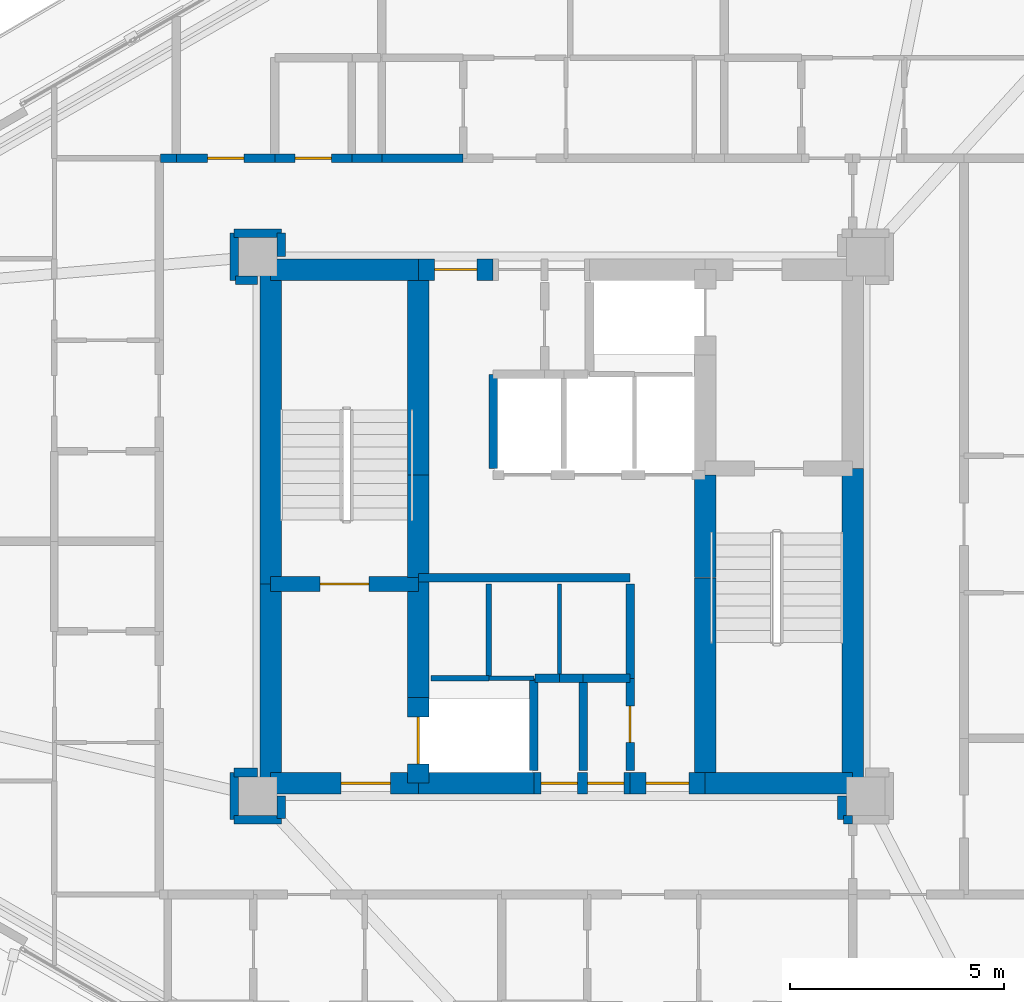
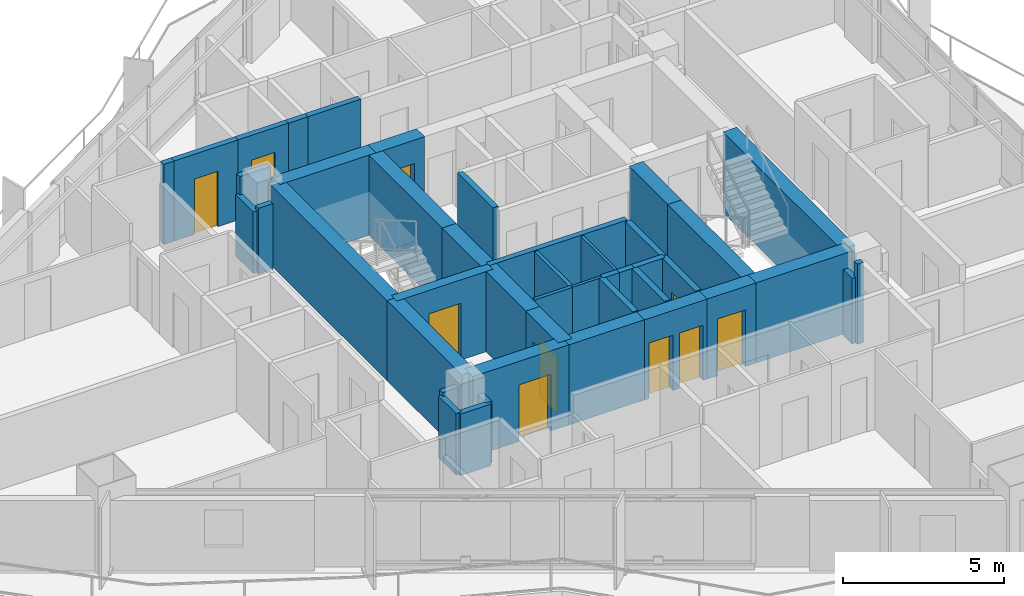
# One storey, part 13 of 18: 45 walls, 10 doors, 10 openings.
"""IFC4 building model written with IfcOpenShell, lengths in metres."""

from ifc_helpers import new_model, si_unit, direction, frame, frame_2d, origin, place, context, subcontext, project, spatial, rectangle, extrude, material, layer, layer_set, type_object, element, fill, save


model = new_model("IFC4")

# Units and contexts
model_context = context("Model", 3, precision=1e-05, world=origin(), true_north=direction((0.0, 1.0)))
body_context = subcontext(model_context, "Body", "Model", "MODEL_VIEW")
ifc_project = project(units=[si_unit("LENGTHUNIT", "METRE"), si_unit("AREAUNIT", "SQUARE_METRE"), si_unit("VOLUMEUNIT", "CUBIC_METRE"), si_unit("PLANEANGLEUNIT", "RADIAN"), si_unit("MASSUNIT", "GRAM", prefix="KILO")], contexts=[model_context])

# Site, building, storey
site_placement = place(None, origin())
site = spatial("IfcSite", under=ifc_project, at=site_placement, CompositionType="ELEMENT")
building_placement = place(site_placement, origin())
building = spatial("IfcBuilding", under=site, at=building_placement, Name="Mersakhor Tower and Convention Hall", CompositionType="ELEMENT")
storey_placement = place(building_placement, frame((0.0, 0.0, 52.199951171875)))
storey = spatial("IfcBuildingStorey", under=building, at=storey_placement, Name="L14", CompositionType="ELEMENT", Elevation=52.199951171875)

# Walls
ifc_material_1 = material(Name="Lightweight gypsum partition", Category="other")
ifc_layer_1 = layer(ifc_material_1, 0.10009765625)
ifc_layer_set_1 = layer_set([ifc_layer_1], Name="Lightweight gypsum partition")
wall_type_1 = type_object("IfcWallType", Name="WL-PRT-100", PredefinedType="PARTITIONING", material=ifc_layer_set_1)
wall_1_placement = place(storey_placement, frame((27.300048828125, 23.199951171875, 0.0), z_axis=(0.0, 0.0, 1.0), x_axis=(1.0, 0.0, 0.0)))
element("IfcWall", 1, at=wall_1_placement, inside=storey, type_object=wall_type_1, Name="L14 Interior Partition Wall P-002", PredefinedType="PARTITIONING", context=body_context, shape_type="SweptSolid", body=[
    extrude(rectangle(XDim=1.050048828125, YDim=0.10009765625, at=frame_2d((0.52490234375, 0.0))), origin(), (0.0, 0.0, 1.0), 3.0400390625),
])
wall_2_placement = place(storey_placement, frame((28.949951171875, 25.39990234375, 0.0), z_axis=(0.0, 0.0, 1.0), x_axis=(0.0, -1.0, 0.0)))
element("IfcWall", 2, at=wall_2_placement, inside=storey, type_object=wall_type_1, Name="L14 Interior Partition Wall P-008", PredefinedType="PARTITIONING", context=body_context, shape_type="SweptSolid", body=[
    extrude(rectangle(XDim=2.199951171875, YDim=0.10009765625, at=frame_2d((1.10009765625, 0.0))), origin(), (0.0, 0.0, 1.0), 3.0400390625),
])
ifc_material_2 = material(Name="Gypsum board acoustic partition", Category="other")
ifc_layer_2 = layer(ifc_material_2, 0.125)
ifc_layer_set_2 = layer_set([ifc_layer_2], Name="Gypsum board acoustic partition")
wall_type_2 = type_object("IfcWallType", Name="WL-PRT-125", PredefinedType="PARTITIONING", material=ifc_layer_set_2)
wall_3_placement = place(storey_placement, frame((25.949951171875, 23.199951171875, 0.0), z_axis=(0.0, 0.0, 1.0), x_axis=(1.0, 0.0, 0.0)))
element("IfcWall", 3, at=wall_3_placement, inside=storey, type_object=wall_type_2, Name="L14 Interior Partition Wall P-001", PredefinedType="PARTITIONING", context=body_context, shape_type="SweptSolid", body=[
    extrude(rectangle(XDim=1.35009765625, YDim=0.125, at=frame_2d((0.675048828125, 0.0))), origin(), (0.0, 0.0, 1.0), 3.0400390625),
])
wall_4_placement = place(storey_placement, frame((27.300048828125, 25.39990234375, 0.0), z_axis=(0.0, 0.0, 1.0), x_axis=(0.0, -1.0, 0.0)))
element("IfcWall", 4, at=wall_4_placement, inside=storey, type_object=wall_type_2, Name="L14 Interior Partition Wall P-007", PredefinedType="PARTITIONING", context=body_context, shape_type="SweptSolid", body=[
    extrude(rectangle(XDim=2.199951171875, YDim=0.125, at=frame_2d((1.10009765625, 0.0))), origin(), (0.0, 0.0, 1.0), 3.0400390625),
])
ifc_material_3 = material(Name="Acoustic concrete blockwork and gypsum board", Category="masonry")
ifc_layer_3 = layer(ifc_material_3, 0.199951171875)
ifc_layer_set_3 = layer_set([ifc_layer_3], Name="Acoustic concrete blockwork and gypsum board")
wall_type_3 = type_object("IfcWallType", Name="WL-PRT-200", PredefinedType="PARTITIONING", material=ifc_layer_set_3)
wall_5_placement = place(storey_placement, frame((25.64990234375, 25.550048828125, 0.0), z_axis=(0.0, 0.0, 1.0), x_axis=(1.0, 0.0, 0.0)))
element("IfcWall", 5, at=wall_5_placement, inside=storey, type_object=wall_type_3, Name="L14 High-Rise Lift Bank Front Wall", PredefinedType="PARTITIONING", context=body_context, shape_type="SweptSolid", body=[
    extrude(rectangle(XDim=4.9501953125, YDim=0.199951171875, at=frame_2d((2.47509765625, 0.0))), origin(), (0.0, 0.0, 1.0), 3.0400390625),
])
wall_6_placement = place(storey_placement, frame((28.35009765625, 23.199951171875, 0.0), z_axis=(0.0, 0.0, 1.0), x_axis=(0.0, -1.0, 0.0)))
element("IfcWall", 6, at=wall_6_placement, inside=storey, type_object=wall_type_3, Name="L14 Interior Partition Wall P-003", PredefinedType="PARTITIONING", context=body_context, shape_type="SweptSolid", body=[
    extrude(rectangle(XDim=2.14990234375, YDim=0.199951171875, at=frame_2d((1.074951171875, 0.0))), origin(), (0.0, 0.0, 1.0), 3.0400390625),
])
wall_7_placement = place(storey_placement, frame((28.949951171875, 23.199951171875, 0.0), z_axis=(0.0, 0.0, 1.0), x_axis=(-1.0, 0.0, 0.0)))
element("IfcWall", 7, at=wall_7_placement, inside=storey, type_object=wall_type_3, Name="L14 Interior Partition Wall P-009", PredefinedType="PARTITIONING", context=body_context, shape_type="SweptSolid", body=[
    extrude(rectangle(XDim=0.570068359375, YDim=0.199951171875, at=frame_2d((0.28515625, 0.0))), origin(), (0.0, 0.0, 1.0), 3.0400390625),
])
wall_8_placement = place(storey_placement, frame((30.60009765625, 25.39990234375, 0.0), z_axis=(0.0, 0.0, 1.0), x_axis=(0.0, -1.0, 0.0)))
element("IfcWall", 8, at=wall_8_placement, inside=storey, type_object=wall_type_3, Name="L14 Interior Partition Wall P-010", PredefinedType="PARTITIONING", context=body_context, shape_type="SweptSolid", body=[
    extrude(rectangle(XDim=2.199951171875, YDim=0.199951171875, at=frame_2d((1.10009765625, 0.0))), origin(), (0.0, 0.0, 1.0), 3.0400390625),
])
wall_9_placement = place(storey_placement, frame((30.60009765625, 23.199951171875, 0.0), z_axis=(0.0, 0.0, 1.0), x_axis=(-1.0, 0.0, 0.0)))
element("IfcWall", 9, at=wall_9_placement, inside=storey, type_object=wall_type_3, Name="L14 Interior Partition Wall P-011", PredefinedType="PARTITIONING", context=body_context, shape_type="SweptSolid", body=[
    extrude(rectangle(XDim=1.10009765625, YDim=0.199951171875, at=frame_2d((0.550048828125, 0.0))), origin(), (0.0, 0.0, 1.0), 3.0400390625),
])
wall_10_placement = place(storey_placement, frame((29.5, 23.199951171875, 0.0), z_axis=(0.0, 0.0, 1.0), x_axis=(-1.0, 0.0, 0.0)))
element("IfcWall", 10, at=wall_10_placement, inside=storey, type_object=wall_type_3, Name="L14 Interior Partition Wall P-012", PredefinedType="PARTITIONING", context=body_context, shape_type="SweptSolid", body=[
    extrude(rectangle(XDim=0.550048828125, YDim=0.199951171875, at=frame_2d((0.27490234375, 0.0))), origin(), (0.0, 0.0, 1.0), 3.0400390625),
])
wall_11_placement = place(storey_placement, frame((27.39990234375, 28.10009765625, 0.0), z_axis=(0.0, 0.0, 1.0), x_axis=(0.0, 1.0, 0.0)))
element("IfcWall", 11, at=wall_11_placement, inside=storey, type_object=wall_type_3, Name="L14 Interior Partition Wall P-016", PredefinedType="PARTITIONING", context=body_context, shape_type="SweptSolid", body=[
    extrude(rectangle(XDim=2.199951171875, YDim=0.199951171875, at=frame_2d((1.10009765625, 0.0))), origin(), (0.0, 0.0, 1.0), 3.0400390625),
])

# Wall, opening, door
wall_12_placement = place(storey_placement, frame((30.60009765625, 21.050048828125, 0.0), z_axis=(0.0, 0.0, 1.0), x_axis=(0.0, 1.0, 0.0)))
wall_12 = element("IfcWall", 12, at=wall_12_placement, inside=storey, type_object=wall_type_3, Name="L14 Interior Partition Wall P-019", PredefinedType="PARTITIONING", context=body_context, shape_type="SweptSolid", body=[
    extrude(rectangle(XDim=2.14990234375, YDim=0.199951171875, at=frame_2d((1.074951171875, 0.0))), origin(), (0.0, 0.0, 1.0), 3.0400390625),
])
opening_1_placement = place(wall_12_placement, frame((0.64990234375, 0.0, 0.0)))
opening_1 = element("IfcOpeningElement", 13, at=opening_1_placement, cuts=wall_12, Name="Opening SVD-01", PredefinedType="OPENING", context=body_context, shape_type="SweptSolid", body=[
    extrude(rectangle(XDim=0.85009765625, YDim=2.10009765625, at=frame_2d((0.425048828125, 1.050048828125))), frame((0.0, 0.10986328125, 0.0), z_axis=(0.0, -1.0, 0.0), x_axis=(1.0, 0.0, 0.0)), (0.0, 0.0, 1.0), 0.219970703125),
])
ifc_material_4 = material(Name="Fire-rated hardwood leaf and painted steel frame", Category="steel")
door_type_1 = type_object("IfcDoorType", Name="DR-INT-SVC-085x210", OperationType="NOTDEFINED", PredefinedType="DOOR", material=ifc_material_4)
door_1_placement = place(opening_1_placement, origin())
door_1 = element("IfcDoor", 14, at=door_1_placement, inside=storey, type_object=door_type_1, Name="L14 Central Passenger Lift Lobby to Refuse and Recycling Room Door", OperationType="SINGLE_SWING_LEFT", OverallHeight=2.10009765625, OverallWidth=0.85009765625, PredefinedType="DOOR", context=body_context, shape_type="SweptSolid", body=[
    extrude(rectangle(XDim=0.85009765625, YDim=2.10009765625, at=frame_2d((0.425048828125, 1.050048828125))), frame((0.0, 0.02490234375, 0.0), z_axis=(0.0, -1.0, 0.0), x_axis=(1.0, 0.0, 0.0)), (0.0, 0.0, 1.0), 0.050048828125),
])
fill(opening_1, door_1)

# Walls
wall_13_placement = place(storey_placement, frame((21.35009765625, 19.89990234375, 0.0), z_axis=(0.0, 0.0, 1.0), x_axis=(1.0, 0.0, 0.0)))
element("IfcWall", 15, at=wall_13_placement, inside=storey, type_object=wall_type_3, Name="L14 Interior Partition Wall P-021", PredefinedType="PARTITIONING", context=body_context, shape_type="SweptSolid", body=[
    extrude(rectangle(XDim=1.099853515625, YDim=0.199951171875, at=frame_2d((0.5498046875, 0.0))), origin(), (0.0, 0.0, 1.0), 2.337646484375),
])
wall_14_placement = place(storey_placement, frame((22.449951171875, 19.929931640625, 0.0), z_axis=(0.0, 0.0, 1.0), x_axis=(0.0, 1.0, 0.0)))
element("IfcWall", 16, at=wall_14_placement, inside=storey, type_object=wall_type_3, Name="L14 Interior Partition Wall P-022", PredefinedType="PARTITIONING", context=body_context, shape_type="SweptSolid", body=[
    extrude(rectangle(XDim=0.52001953125, YDim=0.199951171875, at=frame_2d((0.260009765625, 0.0))), origin(), (0.0, 0.0, 1.0), 2.337646484375),
])
wall_15_placement = place(storey_placement, frame((35.550048828125, 20.449951171875, 0.0), z_axis=(0.0, 0.0, 1.0), x_axis=(0.0, -1.0, 0.0)))
element("IfcWall", 17, at=wall_15_placement, inside=storey, type_object=wall_type_3, Name="L14 Interior Partition Wall P-023", PredefinedType="PARTITIONING", context=body_context, shape_type="SweptSolid", body=[
    extrude(rectangle(XDim=0.550048828125, YDim=0.199951171875, at=frame_2d((0.27490234375, 0.0))), origin(), (0.0, 0.0, 1.0), 2.48828125),
])
wall_16_placement = place(storey_placement, frame((35.580078125, 19.89990234375, 0.0), z_axis=(0.0, 0.0, 1.0), x_axis=(1.0, 0.0, 0.0)))
element("IfcWall", 18, at=wall_16_placement, inside=storey, type_object=wall_type_3, Name="L14 Interior Partition Wall P-024", PredefinedType="PARTITIONING", context=body_context, shape_type="SweptSolid", body=[
    extrude(rectangle(XDim=0.219970703125, YDim=0.199951171875, at=frame_2d((0.10986328125, 0.0))), origin(), (0.0, 0.0, 1.0), 3.0400390625),
])
wall_17_placement = place(storey_placement, frame((19.6298828125, 35.35009765625, 0.0), z_axis=(0.0, 0.0, 1.0), x_axis=(1.0, 0.0, 0.0)))
element("IfcWall", 19, at=wall_17_placement, inside=storey, type_object=wall_type_3, Name="L14 Interior Partition Wall P-039", PredefinedType="PARTITIONING", context=body_context, shape_type="SweptSolid", body=[
    extrude(rectangle(XDim=0.3701171875, YDim=0.199951171875, at=frame_2d((0.18505859375, 0.0))), origin(), (0.0, 0.0, 1.0), 3.0400390625),
])

# Wall, opening, door
wall_18_placement = place(storey_placement, frame((20.0, 35.35009765625, 0.0), z_axis=(0.0, 0.0, 1.0), x_axis=(1.0, 0.0, 0.0)))
wall_18 = element("IfcWall", 20, at=wall_18_placement, inside=storey, type_object=wall_type_3, Name="L14 Interior Partition Wall P-040", PredefinedType="PARTITIONING", context=body_context, shape_type="SweptSolid", body=[
    extrude(rectangle(XDim=2.300048828125, YDim=0.199951171875, at=frame_2d((1.14990234375, 0.0))), origin(), (0.0, 0.0, 1.0), 3.0400390625),
])
opening_2_placement = place(wall_18_placement, frame((0.72509765625, 0.0, 0.0)))
opening_2 = element("IfcOpeningElement", 21, at=opening_2_placement, cuts=wall_18, Name="Opening SVD-01", PredefinedType="OPENING", context=body_context, shape_type="SweptSolid", body=[
    extrude(rectangle(XDim=0.85009765625, YDim=2.10009765625, at=frame_2d((0.425048828125, 1.050048828125))), frame((0.0, 0.10986328125, 0.0), z_axis=(0.0, -1.0, 0.0), x_axis=(1.0, 0.0, 0.0)), (0.0, 0.0, 1.0), 0.219970703125),
])
door_2_placement = place(opening_2_placement, origin())
door_2 = element("IfcDoor", 22, at=door_2_placement, inside=storey, type_object=door_type_1, Name="L14 Residential Ring Corridor to L14 Floor Household Store Room 1-1 Door", OperationType="SINGLE_SWING_LEFT", OverallHeight=2.10009765625, OverallWidth=0.85009765625, PredefinedType="DOOR", context=body_context, shape_type="SweptSolid", body=[
    extrude(rectangle(XDim=0.85009765625, YDim=2.10009765625, at=frame_2d((0.425048828125, 1.050048828125))), frame((0.0, 0.02490234375, 0.0), z_axis=(0.0, -1.0, 0.0), x_axis=(1.0, 0.0, 0.0)), (0.0, 0.0, 1.0), 0.050048828125),
])
fill(opening_2, door_2)

wall_19_placement = place(storey_placement, frame((22.300048828125, 35.35009765625, 0.0), z_axis=(0.0, 0.0, 1.0), x_axis=(1.0, 0.0, 0.0)))
wall_19 = element("IfcWall", 23, at=wall_19_placement, inside=storey, type_object=wall_type_3, Name="L14 Interior Partition Wall P-041", PredefinedType="PARTITIONING", context=body_context, shape_type="SweptSolid", body=[
    extrude(rectangle(XDim=1.800048828125, YDim=0.199951171875, at=frame_2d((0.89990234375, 0.0))), origin(), (0.0, 0.0, 1.0), 3.0400390625),
])
opening_3_placement = place(wall_19_placement, frame((0.47509765625, 0.0, 0.0)))
opening_3 = element("IfcOpeningElement", 24, at=opening_3_placement, cuts=wall_19, Name="Opening SVD-01", PredefinedType="OPENING", context=body_context, shape_type="SweptSolid", body=[
    extrude(rectangle(XDim=0.85009765625, YDim=2.10009765625, at=frame_2d((0.425048828125, 1.050048828125))), frame((0.0, 0.10986328125, 0.0), z_axis=(0.0, -1.0, 0.0), x_axis=(1.0, 0.0, 0.0)), (0.0, 0.0, 1.0), 0.219970703125),
])
door_3_placement = place(opening_3_placement, origin())
door_3 = element("IfcDoor", 25, at=door_3_placement, inside=storey, type_object=door_type_1, Name="L14 Residential Ring Corridor to L14 Floor Shared Restroom WC 1-2 Door", OperationType="SINGLE_SWING_LEFT", OverallHeight=2.10009765625, OverallWidth=0.85009765625, PredefinedType="DOOR", context=body_context, shape_type="SweptSolid", body=[
    extrude(rectangle(XDim=0.85009765625, YDim=2.10009765625, at=frame_2d((0.425048828125, 1.050048828125))), frame((0.0, 0.02490234375, 0.0), z_axis=(0.0, -1.0, 0.0), x_axis=(1.0, 0.0, 0.0)), (0.0, 0.0, 1.0), 0.050048828125),
])
fill(opening_3, door_3)

# Walls
wall_20_placement = place(storey_placement, frame((24.10009765625, 35.35009765625, 0.0), z_axis=(0.0, 0.0, 1.0), x_axis=(1.0, 0.0, 0.0)))
element("IfcWall", 26, at=wall_20_placement, inside=storey, type_object=wall_type_3, Name="L14 Interior Partition Wall P-042", PredefinedType="PARTITIONING", context=body_context, shape_type="SweptSolid", body=[
    extrude(rectangle(XDim=0.699951171875, YDim=0.199951171875, at=frame_2d((0.35009765625, 0.0))), origin(), (0.0, 0.0, 1.0), 3.0400390625),
])
wall_21_placement = place(storey_placement, frame((24.800048828125, 35.35009765625, 0.0), z_axis=(0.0, 0.0, 1.0), x_axis=(1.0, 0.0, 0.0)))
element("IfcWall", 27, at=wall_21_placement, inside=storey, type_object=wall_type_3, Name="L14 Interior Partition Wall P-043", PredefinedType="PARTITIONING", context=body_context, shape_type="SweptSolid", body=[
    extrude(rectangle(XDim=1.89990234375, YDim=0.199951171875, at=frame_2d((0.949951171875, 0.0))), origin(), (0.0, 0.0, 1.0), 3.0400390625),
])
wall_22_placement = place(storey_placement, frame((22.449951171875, 33.050048828125, 0.0), z_axis=(0.0, 0.0, 1.0), x_axis=(0.0, 1.0, 0.0)))
element("IfcWall", 28, at=wall_22_placement, inside=storey, type_object=wall_type_3, Name="L14 Interior Partition Wall P-052", PredefinedType="PARTITIONING", context=body_context, shape_type="SweptSolid", body=[
    extrude(rectangle(XDim=0.550048828125, YDim=0.199951171875, at=frame_2d((0.27490234375, 0.0))), origin(), (0.0, 0.0, 1.0), 2.48828125),
])
wall_23_placement = place(storey_placement, frame((22.449951171875, 33.60009765625, 0.0), z_axis=(0.0, 0.0, 1.0), x_axis=(-1.0, 0.0, 0.0)))
element("IfcWall", 29, at=wall_23_placement, inside=storey, type_object=wall_type_3, Name="L14 Interior Partition Wall P-053", PredefinedType="PARTITIONING", context=body_context, shape_type="SweptSolid", body=[
    extrude(rectangle(XDim=1.099853515625, YDim=0.199951171875, at=frame_2d((0.5498046875, 0.0))), origin(), (0.0, 0.0, 1.0), 3.0400390625),
])
wall_24_placement = place(storey_placement, frame((21.35009765625, 33.60009765625, 0.0), z_axis=(0.0, 0.0, 1.0), x_axis=(0.0, -1.0, 0.0)))
element("IfcWall", 30, at=wall_24_placement, inside=storey, type_object=wall_type_3, Name="L14 Interior Partition Wall P-054", PredefinedType="PARTITIONING", context=body_context, shape_type="SweptSolid", body=[
    extrude(rectangle(XDim=1.10009765625, YDim=0.199951171875, at=frame_2d((0.550048828125, 0.0))), origin(), (0.0, 0.0, 1.0), 2.337646484375),
])
wall_25_placement = place(storey_placement, frame((21.3798828125, 32.5, 0.0), z_axis=(0.0, 0.0, 1.0), x_axis=(1.0, 0.0, 0.0)))
element("IfcWall", 31, at=wall_25_placement, inside=storey, type_object=wall_type_3, Name="L14 Interior Partition Wall P-055", PredefinedType="PARTITIONING", context=body_context, shape_type="SweptSolid", body=[
    extrude(rectangle(XDim=0.52001953125, YDim=0.199951171875, at=frame_2d((0.260009765625, 0.0))), origin(), (0.0, 0.0, 1.0), 2.48828125),
])
wall_26_placement = place(storey_placement, frame((21.89990234375, 21.0, 0.0), z_axis=(0.0, 0.0, 1.0), x_axis=(-1.0, 0.0, 0.0)))
element("IfcWall", 32, at=wall_26_placement, inside=storey, type_object=wall_type_3, Name="L14 Interior Partition Wall P-056", PredefinedType="PARTITIONING", context=body_context, shape_type="SweptSolid", body=[
    extrude(rectangle(XDim=0.5498046875, YDim=0.199951171875, at=frame_2d((0.27490234375, 0.0))), origin(), (0.0, 0.0, 1.0), 2.48828125),
])
wall_27_placement = place(storey_placement, frame((21.35009765625, 21.0, 0.0), z_axis=(0.0, 0.0, 1.0), x_axis=(0.0, -1.0, 0.0)))
element("IfcWall", 33, at=wall_27_placement, inside=storey, type_object=wall_type_3, Name="L14 Interior Partition Wall P-057", PredefinedType="PARTITIONING", context=body_context, shape_type="SweptSolid", body=[
    extrude(rectangle(XDim=1.10009765625, YDim=0.199951171875, at=frame_2d((0.550048828125, 0.0))), origin(), (0.0, 0.0, 1.0), 2.337646484375),
])
wall_28_placement = place(storey_placement, frame((29.5, 23.199951171875, 0.0), z_axis=(0.0, 0.0, 1.0), x_axis=(0.0, -1.0, 0.0)))
element("IfcWall", 34, at=wall_28_placement, inside=storey, type_object=wall_type_3, Name="L14 Interior Partition Wall P-123", PredefinedType="PARTITIONING", context=body_context, shape_type="SweptSolid", body=[
    extrude(rectangle(XDim=2.14990234375, YDim=0.199951171875, at=frame_2d((1.074951171875, 0.0))), origin(), (0.0, 0.0, 1.0), 3.0400390625),
])

# Wall, opening, door
ifc_material_5 = material(Name="Concrete C50/60", Category="concrete")
ifc_layer_4 = layer(ifc_material_5, 0.35009765625)
ifc_layer_set_4 = layer_set([ifc_layer_4], Name="Concrete C50/60")
wall_type_4 = type_object("IfcWallType", Name="WL-SHR-350", PredefinedType="SHEAR", material=ifc_layer_set_4)
wall_29_placement = place(storey_placement, frame((22.199951171875, 25.39990234375, 0.0), z_axis=(0.0, 0.0, 1.0), x_axis=(1.0, 0.0, 0.0)))
wall_29 = element("IfcWall", 35, at=wall_29_placement, inside=storey, type_object=wall_type_4, Name="L14 Core Wall CS-ST1-S", PredefinedType="SHEAR", context=body_context, shape_type="SweptSolid", body=[
    extrude(rectangle(XDim=3.449951171875, YDim=0.35009765625, at=frame_2d((1.72509765625, 0.0))), origin(), (0.0, 0.0, 1.0), 3.0400390625),
])
opening_4_placement = place(wall_29_placement, frame((1.14990234375, 0.0, 0.0)))
opening_4 = element("IfcOpeningElement", 36, at=opening_4_placement, cuts=wall_29, Name="Opening SD-01", PredefinedType="OPENING", context=body_context, shape_type="SweptSolid", body=[
    extrude(rectangle(XDim=1.14990234375, YDim=2.14990234375, at=frame_2d((0.574951171875, 1.074951171875))), frame((0.0, 0.18505859375, 0.0), z_axis=(0.0, -1.0, 0.0), x_axis=(1.0, 0.0, 0.0)), (0.0, 0.0, 1.0), 0.3701171875),
])
ifc_material_6 = material(Name="Fire-rated hardwood leaf and painted steel frame", Category="steel")
door_type_2 = type_object("IfcDoorType", Name="DR-INT-STAIR-115x215", OperationType="NOTDEFINED", PredefinedType="DOOR", material=ifc_material_6)
door_4_placement = place(opening_4_placement, origin())
door_4 = element("IfcDoor", 37, at=door_4_placement, inside=storey, type_object=door_type_2, Name="L14 Exit Stair ST-1 Enclosure Door", OperationType="SINGLE_SWING_LEFT", OverallHeight=2.14990234375, OverallWidth=1.14990234375, PredefinedType="DOOR", context=body_context, shape_type="SweptSolid", body=[
    extrude(rectangle(XDim=1.14990234375, YDim=2.14990234375, at=frame_2d((0.574951171875, 1.074951171875))), frame((0.0, 0.02490234375, 0.0), z_axis=(0.0, -1.0, 0.0), x_axis=(1.0, 0.0, 0.0)), (0.0, 0.0, 1.0), 0.050048828125),
])
fill(opening_4, door_4)

# Walls
ifc_material_7 = material(Name="Concrete C70/85", Category="concrete")
ifc_layer_5 = layer(ifc_material_7, 0.5)
ifc_layer_set_5 = layer_set([ifc_layer_5], Name="Concrete C70/85")
wall_type_5 = type_object("IfcWallType", Name="WL-SHR-500", PredefinedType="SHEAR", material=ifc_layer_set_5)
wall_30_placement = place(storey_placement, frame((22.199951171875, 20.75, 0.0), z_axis=(0.0, 0.0, 1.0), x_axis=(0.0, 1.0, 0.0)))
element("IfcWall", 38, at=wall_30_placement, inside=storey, type_object=wall_type_5, Name="L14 Core Wall CW-W1", PredefinedType="SHEAR", context=body_context, shape_type="SweptSolid", body=[
    extrude(rectangle(XDim=4.64990234375, YDim=0.5, at=frame_2d((2.324951171875, 0.0))), origin(), (0.0, 0.0, 1.0), 3.0400390625),
])
wall_31_placement = place(storey_placement, frame((22.199951171875, 25.39990234375, 0.0), z_axis=(0.0, 0.0, 1.0), x_axis=(0.0, 1.0, 0.0)))
element("IfcWall", 39, at=wall_31_placement, inside=storey, type_object=wall_type_5, Name="L14 Core Wall CW-W2", PredefinedType="SHEAR", context=body_context, shape_type="SweptSolid", body=[
    extrude(rectangle(XDim=7.35009765625, YDim=0.5, at=frame_2d((3.675048828125, 0.0))), origin(), (0.0, 0.0, 1.0), 3.0400390625),
])
wall_32_placement = place(storey_placement, frame((22.199951171875, 32.75, 0.0), z_axis=(0.0, 0.0, 1.0), x_axis=(1.0, 0.0, 0.0)))
element("IfcWall", 40, at=wall_32_placement, inside=storey, type_object=wall_type_5, Name="L14 Core Wall CW-N1", PredefinedType="SHEAR", context=body_context, shape_type="SweptSolid", body=[
    extrude(rectangle(XDim=3.449951171875, YDim=0.5, at=frame_2d((1.72509765625, 0.0))), origin(), (0.0, 0.0, 1.0), 3.0400390625),
])

# Wall, opening, door
wall_33_placement = place(storey_placement, frame((25.64990234375, 32.75, 0.0), z_axis=(0.0, 0.0, 1.0), x_axis=(1.0, 0.0, 0.0)))
wall_33 = element("IfcWall", 41, at=wall_33_placement, inside=storey, type_object=wall_type_5, Name="L14 Core Wall CW-N2A", PredefinedType="SHEAR", context=body_context, shape_type="SweptSolid", body=[
    extrude(rectangle(XDim=1.75, YDim=0.5, at=frame_2d((0.875, 0.0))), origin(), (0.0, 0.0, 1.0), 3.0400390625),
])
opening_5_placement = place(wall_33_placement, frame((0.375, 0.0, 0.0)))
opening_5 = element("IfcOpeningElement", 42, at=opening_5_placement, cuts=wall_33, Name="Opening CFD-01", PredefinedType="OPENING", context=body_context, shape_type="SweptSolid", body=[
    extrude(rectangle(XDim=1.0, YDim=2.14990234375, at=frame_2d((0.5, 1.074951171875))), frame((0.0, 0.260009765625, 0.0), z_axis=(0.0, -1.0, 0.0), x_axis=(1.0, 0.0, 0.0)), (0.0, 0.0, 1.0), 0.52001953125),
])
ifc_material_8 = material(Name="Fire-rated hardwood leaf and painted steel frame", Category="steel")
door_type_3 = type_object("IfcDoorType", Name="DR-CORE-FD-100x215", OperationType="NOTDEFINED", PredefinedType="DOOR", material=ifc_material_8)
door_5_placement = place(opening_5_placement, origin())
door_5 = element("IfcDoor", 43, at=door_5_placement, inside=storey, type_object=door_type_3, Name="L14 Lift Lobby North Corridor Door", OperationType="SINGLE_SWING_LEFT", OverallHeight=2.14990234375, OverallWidth=1.0, PredefinedType="DOOR", context=body_context, shape_type="SweptSolid", body=[
    extrude(rectangle(XDim=1.0, YDim=2.14990234375, at=frame_2d((0.5, 1.074951171875))), frame((0.0, 0.02490234375, 0.0), z_axis=(0.0, -1.0, 0.0), x_axis=(1.0, 0.0, 0.0)), (0.0, 0.0, 1.0), 0.050048828125),
])
fill(opening_5, door_5)

# Walls
wall_34_placement = place(storey_placement, frame((35.800048828125, 28.10009765625, 0.0), z_axis=(0.0, 0.0, 1.0), x_axis=(0.0, -1.0, 0.0)))
element("IfcWall", 44, at=wall_34_placement, inside=storey, type_object=wall_type_5, Name="L14 Core Wall CW-E2", PredefinedType="SHEAR", context=body_context, shape_type="SweptSolid", body=[
    extrude(rectangle(XDim=7.35009765625, YDim=0.5, at=frame_2d((3.675048828125, 0.0))), origin(), (0.0, 0.0, 1.0), 3.0400390625),
])
wall_35_placement = place(storey_placement, frame((35.800048828125, 20.75, 0.0), z_axis=(0.0, 0.0, 1.0), x_axis=(-1.0, 0.0, 0.0)))
element("IfcWall", 45, at=wall_35_placement, inside=storey, type_object=wall_type_5, Name="L14 Core Wall CW-S1", PredefinedType="SHEAR", context=body_context, shape_type="SweptSolid", body=[
    extrude(rectangle(XDim=3.449951171875, YDim=0.5, at=frame_2d((1.72509765625, 0.0))), origin(), (0.0, 0.0, 1.0), 3.0400390625),
])

# Wall, opening, door
wall_36_placement = place(storey_placement, frame((32.35009765625, 20.75, 0.0), z_axis=(0.0, 0.0, 1.0), x_axis=(-1.0, 0.0, 0.0)))
wall_36 = element("IfcWall", 46, at=wall_36_placement, inside=storey, type_object=wall_type_5, Name="L14 Core Wall CW-S2A", PredefinedType="SHEAR", context=body_context, shape_type="SweptSolid", body=[
    extrude(rectangle(XDim=1.75, YDim=0.5, at=frame_2d((0.875, 0.0))), origin(), (0.0, 0.0, 1.0), 3.0400390625),
])
opening_6_placement = place(wall_36_placement, frame((0.375, 0.0, 0.0)))
opening_6 = element("IfcOpeningElement", 47, at=opening_6_placement, cuts=wall_36, Name="Opening CFD-01", PredefinedType="OPENING", context=body_context, shape_type="SweptSolid", body=[
    extrude(rectangle(XDim=1.0, YDim=2.14990234375, at=frame_2d((0.5, 1.074951171875))), frame((0.0, 0.260009765625, 0.0), z_axis=(0.0, -1.0, 0.0), x_axis=(1.0, 0.0, 0.0)), (0.0, 0.0, 1.0), 0.52001953125),
])
door_6_placement = place(opening_6_placement, origin())
door_6 = element("IfcDoor", 48, at=door_6_placement, inside=storey, type_object=door_type_3, Name="L14 Lift Lobby South Corridor Door", OperationType="SINGLE_SWING_RIGHT", OverallHeight=2.14990234375, OverallWidth=1.0, PredefinedType="DOOR", context=body_context, shape_type="SweptSolid", body=[
    extrude(rectangle(XDim=1.0, YDim=2.14990234375, at=frame_2d((0.5, 1.074951171875))), frame((0.0, 0.02490234375, 0.0), z_axis=(0.0, -1.0, 0.0), x_axis=(1.0, 0.0, 0.0)), (0.0, 0.0, 1.0), 0.050048828125),
])
fill(opening_6, door_6)

# Wall, openings, doors
wall_37_placement = place(storey_placement, frame((30.60009765625, 20.75, 0.0), z_axis=(0.0, 0.0, 1.0), x_axis=(-1.0, 0.0, 0.0)))
wall_37 = element("IfcWall", 49, at=wall_37_placement, inside=storey, type_object=wall_type_5, Name="L14 Core Wall CW-S2B", PredefinedType="SHEAR", context=body_context, shape_type="SweptSolid", body=[
    extrude(rectangle(XDim=2.25, YDim=0.5, at=frame_2d((1.125, 0.0))), origin(), (0.0, 0.0, 1.0), 3.0400390625),
])
opening_7_placement = place(wall_37_placement, frame((1.22998046875, 0.0, 0.0)))
opening_7 = element("IfcOpeningElement", 50, at=opening_7_placement, cuts=wall_37, Name="Opening SVD-01", PredefinedType="OPENING", context=body_context, shape_type="SweptSolid", body=[
    extrude(rectangle(XDim=0.85009765625, YDim=2.10009765625, at=frame_2d((0.425048828125, 1.050048828125))), frame((0.0, 0.260009765625, 0.0), z_axis=(0.0, -1.0, 0.0), x_axis=(1.0, 0.0, 0.0)), (0.0, 0.0, 1.0), 0.52001953125),
])
opening_8_placement = place(wall_37_placement, frame((0.14501953125, 0.0, 0.0)))
opening_8 = element("IfcOpeningElement", 51, at=opening_8_placement, cuts=wall_37, Name="Opening SVD-01", PredefinedType="OPENING", context=body_context, shape_type="SweptSolid", body=[
    extrude(rectangle(XDim=0.85009765625, YDim=2.10009765625, at=frame_2d((0.425048828125, 1.050048828125))), frame((0.0, 0.260009765625, 0.0), z_axis=(0.0, -1.0, 0.0), x_axis=(1.0, 0.0, 0.0)), (0.0, 0.0, 1.0), 0.52001953125),
])
door_7_placement = place(opening_7_placement, origin())
door_7 = element("IfcDoor", 52, at=door_7_placement, inside=storey, type_object=door_type_1, Name="L14 Residential Ring Corridor to Mechanical Valve Plant Room Door", OperationType="SINGLE_SWING_RIGHT", OverallHeight=2.10009765625, OverallWidth=0.85009765625, PredefinedType="DOOR", context=body_context, shape_type="SweptSolid", body=[
    extrude(rectangle(XDim=0.85009765625, YDim=2.10009765625, at=frame_2d((0.425048828125, 1.050048828125))), frame((0.0, 0.02490234375, 0.0), z_axis=(0.0, -1.0, 0.0), x_axis=(1.0, 0.0, 0.0)), (0.0, 0.0, 1.0), 0.050048828125),
])
fill(opening_7, door_7)
door_8_placement = place(opening_8_placement, origin())
door_8 = element("IfcDoor", 53, at=door_8_placement, inside=storey, type_object=door_type_1, Name="L14 Residential Ring Corridor to Refuse and Recycling Room Door", OperationType="SINGLE_SWING_LEFT", OverallHeight=2.10009765625, OverallWidth=0.85009765625, PredefinedType="DOOR", context=body_context, shape_type="SweptSolid", body=[
    extrude(rectangle(XDim=0.85009765625, YDim=2.10009765625, at=frame_2d((0.425048828125, 1.050048828125))), frame((0.0, 0.02490234375, 0.0), z_axis=(0.0, -1.0, 0.0), x_axis=(1.0, 0.0, 0.0)), (0.0, 0.0, 1.0), 0.050048828125),
])
fill(opening_8, door_8)

# Wall
wall_38_placement = place(storey_placement, frame((28.35009765625, 20.75, 0.0), z_axis=(0.0, 0.0, 1.0), x_axis=(-1.0, 0.0, 0.0)))
element("IfcWall", 54, at=wall_38_placement, inside=storey, type_object=wall_type_5, Name="L14 Core Wall CW-S3", PredefinedType="SHEAR", context=body_context, shape_type="SweptSolid", body=[
    extrude(rectangle(XDim=2.7001953125, YDim=0.5, at=frame_2d((1.35009765625, 0.0))), origin(), (0.0, 0.0, 1.0), 3.0400390625),
])

# Wall, opening, door
wall_39_placement = place(storey_placement, frame((25.64990234375, 20.75, 0.0), z_axis=(0.0, 0.0, 1.0), x_axis=(-1.0, 0.0, 0.0)))
wall_39 = element("IfcWall", 55, at=wall_39_placement, inside=storey, type_object=wall_type_5, Name="L14 Core Wall CW-S4", PredefinedType="SHEAR", context=body_context, shape_type="SweptSolid", body=[
    extrude(rectangle(XDim=3.449951171875, YDim=0.5, at=frame_2d((1.72509765625, 0.0))), origin(), (0.0, 0.0, 1.0), 3.0400390625),
])
opening_9_placement = place(wall_39_placement, frame((0.64990234375, 0.0, 0.0)))
opening_9 = element("IfcOpeningElement", 56, at=opening_9_placement, cuts=wall_39, Name="Opening SD-01", PredefinedType="OPENING", context=body_context, shape_type="SweptSolid", body=[
    extrude(rectangle(XDim=1.14990234375, YDim=2.14990234375, at=frame_2d((0.574951171875, 1.074951171875))), frame((0.0, 0.260009765625, 0.0), z_axis=(0.0, -1.0, 0.0), x_axis=(1.0, 0.0, 0.0)), (0.0, 0.0, 1.0), 0.52001953125),
])
door_9_placement = place(opening_9_placement, origin())
door_9 = element("IfcDoor", 57, at=door_9_placement, inside=storey, type_object=door_type_2, Name="L14 Firefighting Lobby West Fire Door", OperationType="SINGLE_SWING_LEFT", OverallHeight=2.14990234375, OverallWidth=1.14990234375, PredefinedType="DOOR", context=body_context, shape_type="SweptSolid", body=[
    extrude(rectangle(XDim=1.14990234375, YDim=2.14990234375, at=frame_2d((0.574951171875, 1.074951171875))), frame((0.0, 0.02490234375, 0.0), z_axis=(0.0, -1.0, 0.0), x_axis=(1.0, 0.0, 0.0)), (0.0, 0.0, 1.0), 0.050048828125),
])
fill(opening_9, door_9)

wall_40_placement = place(storey_placement, frame((25.64990234375, 20.75, 0.0), z_axis=(0.0, 0.0, 1.0), x_axis=(0.0, 1.0, 0.0)))
wall_40 = element("IfcWall", 58, at=wall_40_placement, inside=storey, type_object=wall_type_5, Name="L14 Core Wall CS-W-FFL", PredefinedType="SHEAR", context=body_context, shape_type="SweptSolid", body=[
    extrude(rectangle(XDim=2.0, YDim=0.5, at=frame_2d((1.0, 0.0))), origin(), (0.0, 0.0, 1.0), 3.0400390625),
])
opening_10_placement = place(wall_40_placement, frame((0.449951171875, 0.0, 0.0)))
opening_10 = element("IfcOpeningElement", 59, at=opening_10_placement, cuts=wall_40, Name="Opening LD-FFL1", PredefinedType="OPENING", context=body_context, shape_type="SweptSolid", body=[
    extrude(rectangle(XDim=1.10009765625, YDim=2.14990234375, at=frame_2d((0.550048828125, 1.074951171875))), frame((0.0, 0.260009765625, 0.0), z_axis=(0.0, -1.0, 0.0), x_axis=(1.0, 0.0, 0.0)), (0.0, 0.0, 1.0), 0.52001953125),
])
ifc_material_9 = material(Name="Fire-rated brushed stainless steel sliding landing door", Category="steel")
door_type_4 = type_object("IfcDoorType", Name="DR-LIFT-SLD-110x215", OperationType="NOTDEFINED", PredefinedType="DOOR", material=ifc_material_9)
door_10_placement = place(opening_10_placement, origin())
door_10 = element("IfcDoor", 60, at=door_10_placement, inside=storey, type_object=door_type_4, Name="L14 Firefighting Lift Landing Door LD-FFL1", OperationType="SLIDING_TO_LEFT", OverallHeight=2.14990234375, OverallWidth=1.10009765625, PredefinedType="DOOR", context=body_context, shape_type="SweptSolid", body=[
    extrude(rectangle(XDim=1.10009765625, YDim=2.14990234375, at=frame_2d((0.550048828125, 1.074951171875))), frame((0.0, 0.02490234375, 0.0), z_axis=(0.0, -1.0, 0.0), x_axis=(1.0, 0.0, 0.0)), (0.0, 0.0, 1.0), 0.050048828125),
])
fill(opening_10, door_10)

# Walls
wall_41_placement = place(storey_placement, frame((25.64990234375, 22.75, 0.0), z_axis=(0.0, 0.0, 1.0), x_axis=(0.0, 1.0, 0.0)))
element("IfcWall", 61, at=wall_41_placement, inside=storey, type_object=wall_type_5, Name="L14 Core Wall CS-W-MID", PredefinedType="SHEAR", context=body_context, shape_type="SweptSolid", body=[
    extrude(rectangle(XDim=2.800048828125, YDim=0.5, at=frame_2d((1.39990234375, 0.0))), origin(), (0.0, 0.0, 1.0), 3.0400390625),
])
wall_42_placement = place(storey_placement, frame((25.64990234375, 25.550048828125, 0.0), z_axis=(0.0, 0.0, 1.0), x_axis=(0.0, 1.0, 0.0)))
element("IfcWall", 62, at=wall_42_placement, inside=storey, type_object=wall_type_5, Name="L14 Core Wall CS-W-LOB", PredefinedType="SHEAR", context=body_context, shape_type="SweptSolid", body=[
    extrude(rectangle(XDim=2.39990234375, YDim=0.5, at=frame_2d((1.199951171875, 0.0))), origin(), (0.0, 0.0, 1.0), 3.0400390625),
])
for number, where, z_axis, x_axis, name in (
    (63, (25.64990234375, 27.949951171875, 0.0), (0.0, 0.0, 1.0), (0.0, 1.0, 0.0), "L14 Core Wall CS-W-ST1"),
    (64, (32.35009765625, 20.75, 0.0), (0.0, 0.0, 1.0), (0.0, 1.0, 0.0), "L14 Core Wall CS-E-ST2"),
):
    element("IfcWall", number, at=place(storey_placement, frame(where, z_axis=z_axis, x_axis=x_axis)), inside=storey, type_object=wall_type_5, Name=name, PredefinedType="SHEAR", context=body_context, shape_type="SweptSolid", body=[
        extrude(rectangle(XDim=4.800048828125, YDim=0.5, at=frame_2d((2.39990234375, 0.0))), origin(), (0.0, 0.0, 1.0), 3.0400390625),
    ])
wall_43_placement = place(storey_placement, frame((32.35009765625, 25.550048828125, 0.0), z_axis=(0.0, 0.0, 1.0), x_axis=(0.0, 1.0, 0.0)))
element("IfcWall", 65, at=wall_43_placement, inside=storey, type_object=wall_type_5, Name="L14 Core Wall CS-E-LOB", PredefinedType="SHEAR", context=body_context, shape_type="SweptSolid", body=[
    extrude(rectangle(XDim=2.39990234375, YDim=0.5, at=frame_2d((1.199951171875, 0.0))), origin(), (0.0, 0.0, 1.0), 3.0400390625),
])

save(model, "model.ifc")
